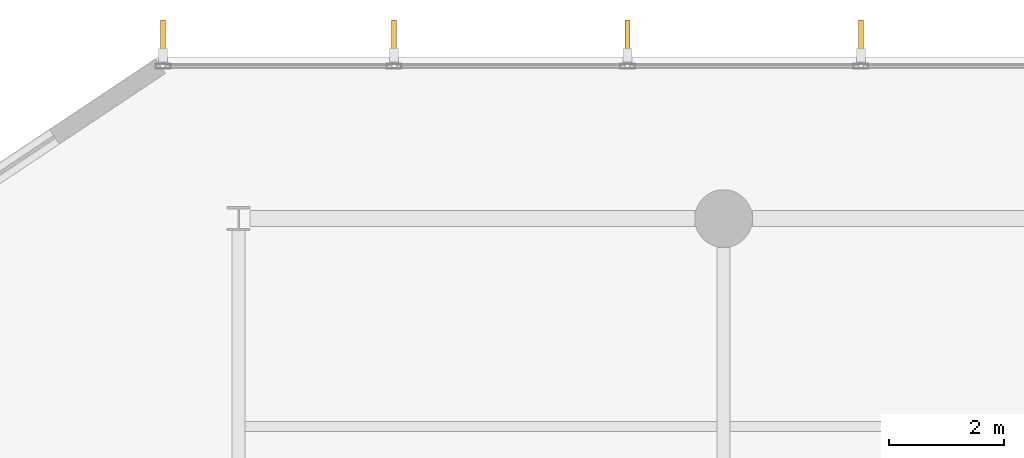
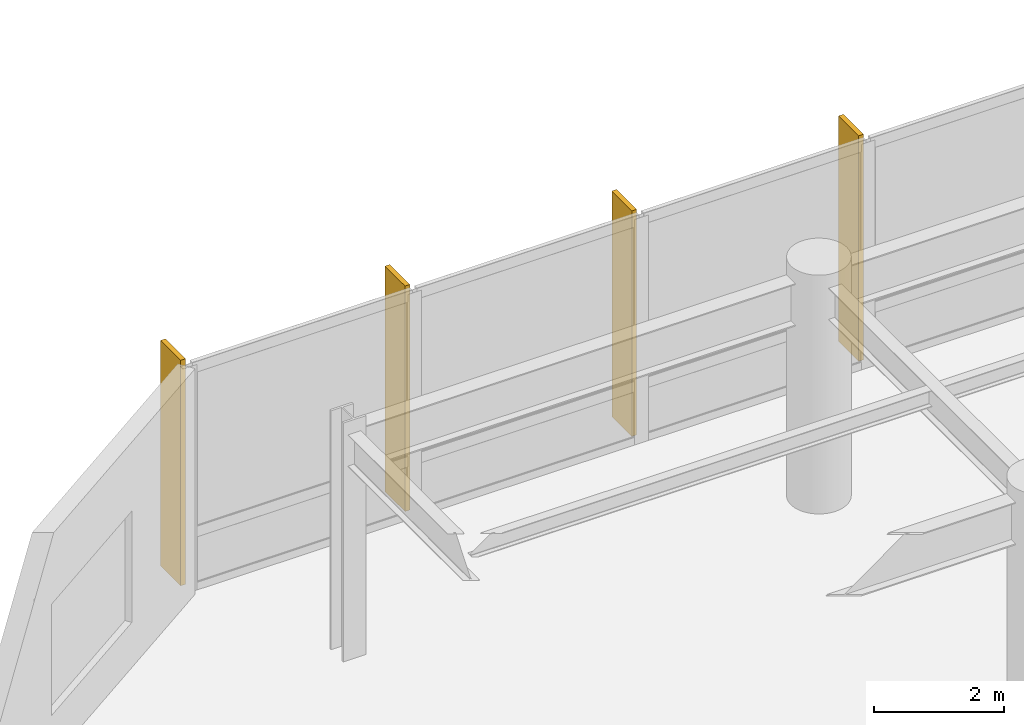
# One storey, part 24 of 26: 4 shading devices.
"""IFC4 building model written with IfcOpenShell, lengths in metres."""

from ifc_helpers import new_model, si_unit, direction, frame, origin, origin_2d, place, context, subcontext, project, spatial, rectangle, extrude, material, layer, layer_set, type_object, element, save


model = new_model("IFC4")

# Units and contexts
model_context = context("Model", 3, precision=1e-05, world=origin(), true_north=direction((0.0, 1.0)))
body_context = subcontext(model_context, "Body", "Model", "MODEL_VIEW")
ifc_project = project(units=[si_unit("LENGTHUNIT", "METRE"), si_unit("AREAUNIT", "SQUARE_METRE"), si_unit("VOLUMEUNIT", "CUBIC_METRE"), si_unit("PLANEANGLEUNIT", "RADIAN"), si_unit("MASSUNIT", "GRAM", prefix="KILO")], contexts=[model_context])

# Site, building, storey
site_placement = place(None, origin())
site = spatial("IfcSite", under=ifc_project, at=site_placement, CompositionType="ELEMENT")
building_placement = place(site_placement, origin())
building = spatial("IfcBuilding", under=site, at=building_placement, Name="Varnakote Quay Hospital", CompositionType="ELEMENT")
storey_placement = place(building_placement, frame((0.0, 0.0, 4.5)))
storey = spatial("IfcBuildingStorey", under=building, at=storey_placement, Name="L01", CompositionType="ELEMENT", Elevation=4.5)

# Shading devices
ifc_material = material(Name="Anodised aluminium 6063-T6 Bronze", Category="aluminium")
ifc_layer = layer(ifc_material, 0.0849609375)
ifc_layer_set = layer_set([ifc_layer], Name="Anodised aluminium 6063-T6 Bronze")
shading_device_type = type_object("IfcShadingDeviceType", Name="SHD-BRONZE-FIN-620", PredefinedType="USERDEFINED", material=ifc_layer_set)
for number, where, z_axis, x_axis, name in (
    (1, (61.178955078125, 47.1298828125, 0.0), (0.0, 0.0, 1.0), (0.0, -1.0, 0.0), "L01 Anodised Bronze Vertical Shading FIN"),
    (2, (57.135498046875, 47.1298828125, 0.0), (0.0, 0.0, 1.0), (0.0, -1.0, 0.0), "L01 Anodised Bronze Vertical Shading FIN"),
    (3, (53.091796875, 47.1298828125, 0.0), (0.0, 0.0, 1.0), (0.0, -1.0, 0.0), "L01 Anodised Bronze Vertical Shading FIN"),
    (4, (49.0908203125, 47.1298828125, 0.0), (0.0, 0.0, 1.0), (0.0, -1.0, 0.0), "L01 Anodised Bronze Vertical Shading FIN"),
):
    element("IfcShadingDevice", number, at=place(storey_placement, frame(where, z_axis=z_axis, x_axis=x_axis)), inside=storey, type_object=shading_device_type, Name=name, ObjectType="FIN", PredefinedType="USERDEFINED", context=body_context, shape_type="SweptSolid", body=[
        extrude(rectangle(XDim=0.6201171875, YDim=0.0849609375, at=origin_2d()), origin(), (0.0, 0.0, 1.0), 4.25),
    ])

save(model, "model.ifc")
